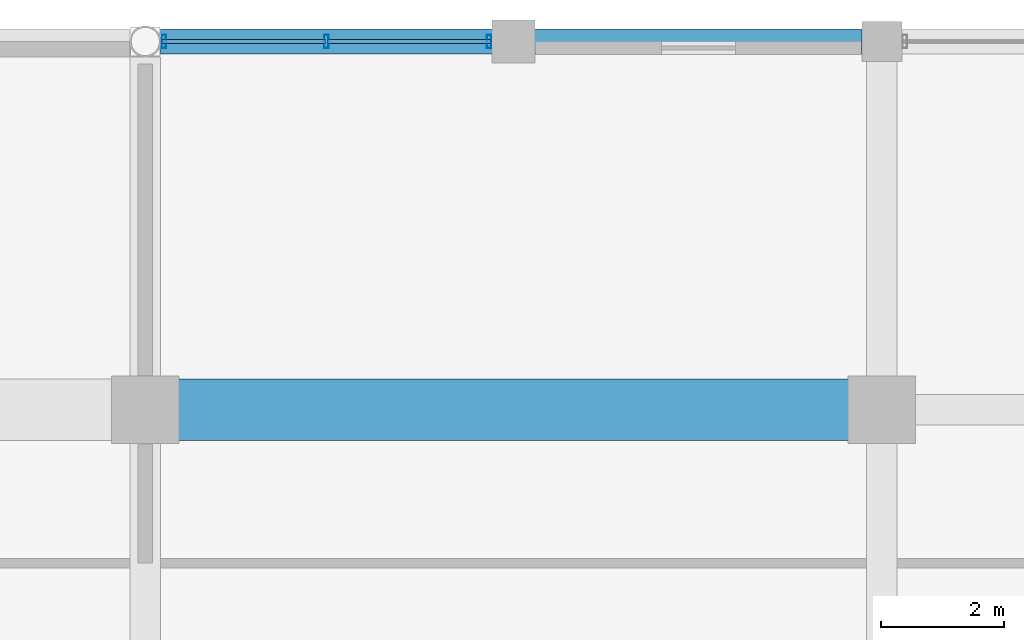
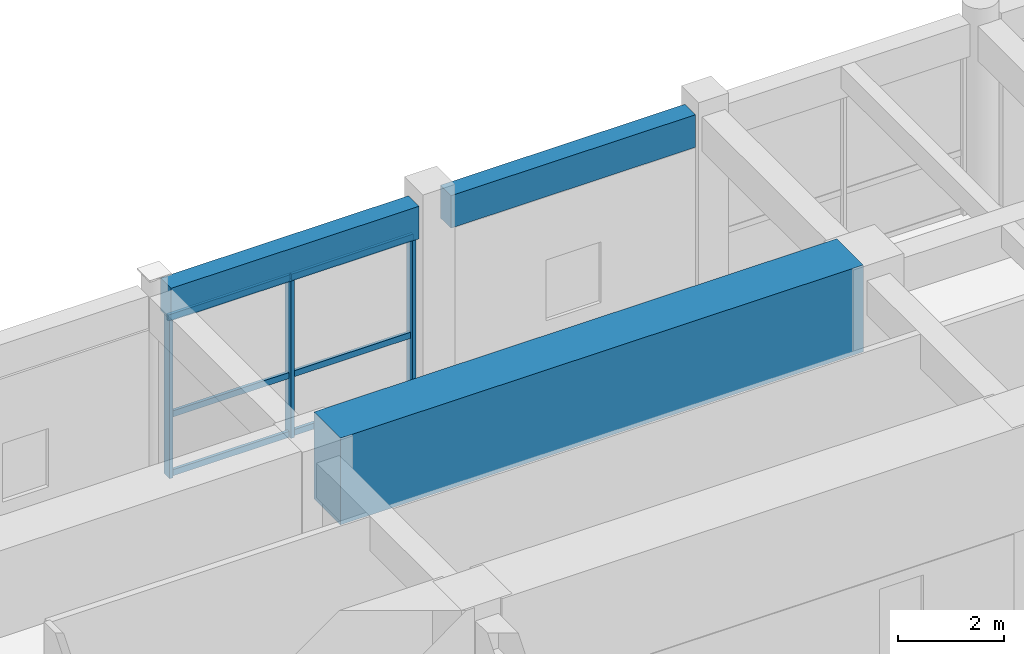
# One storey, part 57 of 123: 9 members, 3 beams, 1 element without a shape of its own.
"""IFC4 building model written with IfcOpenShell, lengths in metres."""

from ifc_helpers import new_model, si_unit, direction, frame, origin, origin_2d, place, context, subcontext, project, spatial, rectangle, hollow_rectangle, extrude, material, material_profile, profile_set, type_object, element, aggregate, save


model = new_model("IFC4")

# Units and contexts
model_context = context("Model", 3, precision=1e-05, world=origin(), true_north=direction((0.0, 1.0)))
body_context = subcontext(model_context, "Body", "Model", "MODEL_VIEW")
ifc_project = project(units=[si_unit("LENGTHUNIT", "METRE"), si_unit("AREAUNIT", "SQUARE_METRE"), si_unit("VOLUMEUNIT", "CUBIC_METRE"), si_unit("PLANEANGLEUNIT", "RADIAN"), si_unit("MASSUNIT", "GRAM", prefix="KILO"), si_unit("THERMODYNAMICTEMPERATUREUNIT", "KELVIN"), si_unit("POWERUNIT", "WATT")], contexts=[model_context])

# Site, building, storey
site_placement = place(None, origin())
site = spatial("IfcSite", under=ifc_project, at=site_placement, CompositionType="ELEMENT")
building_placement = place(site_placement, origin())
building = spatial("IfcBuilding", under=site, at=building_placement, Name="Phaisarnlok Congress Hotel", CompositionType="ELEMENT")
storey_placement = place(building_placement, frame((0.0, 0.0, 15.0)))
storey = spatial("IfcBuildingStorey", under=building, at=storey_placement, Name="L03", CompositionType="ELEMENT", Elevation=15.0)

# Curtain wall, members
ifc_material_1 = material(Name="Thermally Broken Unitised Aluminium & Low-E Glazing", Category="aluminium")
curtain_wall_type = type_object("IfcCurtainWallType", Name="CW-UNIT-31", PredefinedType="NOTDEFINED", material=ifc_material_1)
curtain_wall_placement = place(storey_placement, origin())
curtain_wall = element("IfcCurtainWall", 1, at=curtain_wall_placement, inside=storey, type_object=curtain_wall_type, Name="Unitised curtain wall CW-31 (L03)", PredefinedType="NOTDEFINED")
ifc_material_2 = material(Name="Anodised Aluminium Alloy 6063-T6", Category="aluminium")
ifc_material_profile_1 = material_profile(ifc_material_2, hollow_rectangle(XDim=0.074951171875, YDim=0.219970703125, WallThickness=0.0048828125, at=origin_2d()), Name="ALU-M 75x220x5")
ifc_profile_set_1 = profile_set([ifc_material_profile_1], Name="Anodised Aluminium Alloy 6063-T6")
member_type_1 = type_object("IfcMemberType", Name="CWM-220", PredefinedType="MULLION", material=ifc_profile_set_1)
member_1_placement = place(storey_placement, frame((89.60009765625, 126.0, 0.0), z_axis=(0.0, 0.0, 1.0), x_axis=(-1.0, 0.0, 0.0)))
member_1 = element("IfcMember", 2, at=member_1_placement, type_object=member_type_1, Name="Curtain wall mullion CWM-02", PredefinedType="MULLION", context=body_context, shape_type="SweptSolid", body=[
    extrude(hollow_rectangle(XDim=0.074951171875, YDim=0.219970703125, WallThickness=0.0048828125, at=origin_2d()), origin(), (0.0, 0.0, 1.0), 3.699951171875),
])
member_2_placement = place(storey_placement, frame((86.951904296875, 126.0, 0.0), z_axis=(0.0, 0.0, 1.0), x_axis=(-1.0, 0.0, 0.0)))
member_2 = element("IfcMember", 3, at=member_2_placement, type_object=member_type_1, Name="Curtain wall mullion CWM-02", PredefinedType="MULLION", context=body_context, shape_type="SweptSolid", body=[
    extrude(hollow_rectangle(XDim=0.074951171875, YDim=0.219970703125, WallThickness=0.0048828125, at=origin_2d()), origin(), (0.0, 0.0, 1.0), 3.699951171875),
])
member_3_placement = place(storey_placement, frame((84.303955078125, 126.0, 0.0), z_axis=(0.0, 0.0, 1.0), x_axis=(-1.0, 0.0, 0.0)))
member_3 = element("IfcMember", 4, at=member_3_placement, type_object=member_type_1, Name="Curtain wall mullion CWM-02", PredefinedType="MULLION", context=body_context, shape_type="SweptSolid", body=[
    extrude(hollow_rectangle(XDim=0.074951171875, YDim=0.219970703125, WallThickness=0.0048828125, at=origin_2d()), origin(), (0.0, 0.0, 1.0), 3.699951171875),
])
ifc_material_profile_2 = material_profile(ifc_material_2, hollow_rectangle(XDim=0.06494140625, YDim=0.139892578125, WallThickness=0.00390625, at=origin_2d()), Name="ALU-T 65x140x4")
ifc_profile_set_2 = profile_set([ifc_material_profile_2], Name="Anodised Aluminium Alloy 6063-T6")
member_type_2 = type_object("IfcMemberType", Name="CWT-150", PredefinedType="USERDEFINED", material=ifc_profile_set_2)
member_4_placement = place(storey_placement, frame((89.625, 126.0, 0.050048828125), z_axis=(-1.0, 0.0, 0.0), x_axis=(0.0, -1.0, 0.0)))
member_4 = element("IfcMember", 5, at=member_4_placement, type_object=member_type_2, Name="Curtain wall transom CWT-01", ObjectType="TRANSOM", PredefinedType="USERDEFINED", context=body_context, shape_type="SweptSolid", body=[
    extrude(hollow_rectangle(XDim=0.06494140625, YDim=0.139892578125, WallThickness=0.00390625, at=origin_2d()), origin(), (0.0, 0.0, 1.0), 2.657958984375),
])
member_5_placement = place(storey_placement, frame((89.625, 126.0, 1.406005859375), z_axis=(-1.0, 0.0, 0.0), x_axis=(0.0, -1.0, 0.0)))
member_5 = element("IfcMember", 6, at=member_5_placement, type_object=member_type_2, Name="Curtain wall transom CWT-01", ObjectType="TRANSOM", PredefinedType="USERDEFINED", context=body_context, shape_type="SweptSolid", body=[
    extrude(hollow_rectangle(XDim=0.06494140625, YDim=0.139892578125, WallThickness=0.00390625, at=origin_2d()), origin(), (0.0, 0.0, 1.0), 2.657958984375),
])
member_6_placement = place(storey_placement, frame((89.625, 126.0, 3.64990234375), z_axis=(-1.0, 0.0, 0.0), x_axis=(0.0, -1.0, 0.0)))
member_6 = element("IfcMember", 7, at=member_6_placement, type_object=member_type_2, Name="Curtain wall transom CWT-01", ObjectType="TRANSOM", PredefinedType="USERDEFINED", context=body_context, shape_type="SweptSolid", body=[
    extrude(hollow_rectangle(XDim=0.06494140625, YDim=0.139892578125, WallThickness=0.00390625, at=origin_2d()), origin(), (0.0, 0.0, 1.0), 2.657958984375),
])
member_7_placement = place(storey_placement, frame((86.93701171875, 126.0, 0.050048828125), z_axis=(-1.0, 0.0, 0.0), x_axis=(0.0, -1.0, 0.0)))
member_7 = element("IfcMember", 8, at=member_7_placement, type_object=member_type_2, Name="Curtain wall transom CWT-01", ObjectType="TRANSOM", PredefinedType="USERDEFINED", context=body_context, shape_type="SweptSolid", body=[
    extrude(hollow_rectangle(XDim=0.06494140625, YDim=0.139892578125, WallThickness=0.00390625, at=origin_2d()), origin(), (0.0, 0.0, 1.0), 2.657958984375),
])
member_8_placement = place(storey_placement, frame((86.93701171875, 126.0, 1.406005859375), z_axis=(-1.0, 0.0, 0.0), x_axis=(0.0, -1.0, 0.0)))
member_8 = element("IfcMember", 9, at=member_8_placement, type_object=member_type_2, Name="Curtain wall transom CWT-01", ObjectType="TRANSOM", PredefinedType="USERDEFINED", context=body_context, shape_type="SweptSolid", body=[
    extrude(hollow_rectangle(XDim=0.06494140625, YDim=0.139892578125, WallThickness=0.00390625, at=origin_2d()), origin(), (0.0, 0.0, 1.0), 2.657958984375),
])
member_9_placement = place(storey_placement, frame((86.93701171875, 126.0, 3.64990234375), z_axis=(-1.0, 0.0, 0.0), x_axis=(0.0, -1.0, 0.0)))
member_9 = element("IfcMember", 10, at=member_9_placement, type_object=member_type_2, Name="Curtain wall transom CWT-01", ObjectType="TRANSOM", PredefinedType="USERDEFINED", context=body_context, shape_type="SweptSolid", body=[
    extrude(hollow_rectangle(XDim=0.06494140625, YDim=0.139892578125, WallThickness=0.00390625, at=origin_2d()), origin(), (0.0, 0.0, 1.0), 2.657958984375),
])
aggregate(curtain_wall, [member_1, member_2, member_3, member_4, member_5, member_6, member_7, member_8, member_9])

# Beams
ifc_material_3 = material(Name="Concrete C40/50", Category="concrete")
ifc_material_profile_3 = material_profile(ifc_material_3, rectangle(XDim=0.39990234375, YDim=0.75, at=origin_2d()), Name="RC 400x750")
ifc_profile_set_3 = profile_set([ifc_material_profile_3], Name="Concrete C40/50")
beam_type_1 = type_object("IfcBeamType", Name="SP-RC-400x750", PredefinedType="SPANDREL", material=ifc_profile_set_3)
beam_1_placement = place(storey_placement, frame((84.2490234375, 126.0, 4.074951171875), z_axis=(1.0, 0.0, 0.0), x_axis=(0.0, 1.0, 0.0)))
element("IfcBeam", 11, at=beam_1_placement, inside=storey, type_object=beam_type_1, Name="Beam SP-02", PredefinedType="SPANDREL", context=body_context, shape_type="SweptSolid", body=[
    extrude(rectangle(XDim=0.39990234375, YDim=0.75, at=origin_2d()), origin(), (0.0, 0.0, 1.0), 5.406005859375),
])
beam_2_placement = place(storey_placement, frame((90.344970703125, 126.0, 4.074951171875), z_axis=(1.0, 0.0, 0.0), x_axis=(0.0, 1.0, 0.0)))
element("IfcBeam", 12, at=beam_2_placement, inside=storey, type_object=beam_type_1, Name="Beam SP-02", PredefinedType="SPANDREL", context=body_context, shape_type="SweptSolid", body=[
    extrude(rectangle(XDim=0.39990234375, YDim=0.75, at=origin_2d()), origin(), (0.0, 0.0, 1.0), 5.3349609375),
])
ifc_material_4 = material(Name="Concrete C50/60", Category="concrete")
ifc_material_profile_4 = material_profile(ifc_material_4, rectangle(XDim=1.0, YDim=2.0, at=origin_2d()), Name="RC 1000x2000")
ifc_profile_set_4 = profile_set([ifc_material_profile_4], Name="Concrete C50/60")
beam_type_2 = type_object("IfcBeamType", Name="TG-RC-1000x2000", PredefinedType="BEAM", material=ifc_profile_set_4)
beam_3_placement = place(storey_placement, frame((84.300048828125, 120.0, 3.800048828125), z_axis=(1.0, 0.0, 0.0), x_axis=(0.0, 1.0, 0.0)))
element("IfcBeam", 13, at=beam_3_placement, inside=storey, type_object=beam_type_2, Name="Transfer girder TG-01 supporting hotel wing", PredefinedType="BEAM", context=body_context, shape_type="SweptSolid", body=[
    extrude(rectangle(XDim=1.0, YDim=2.0, at=origin_2d()), origin(), (0.0, 0.0, 1.0), 11.39990234375),
])

save(model, "model.ifc")
